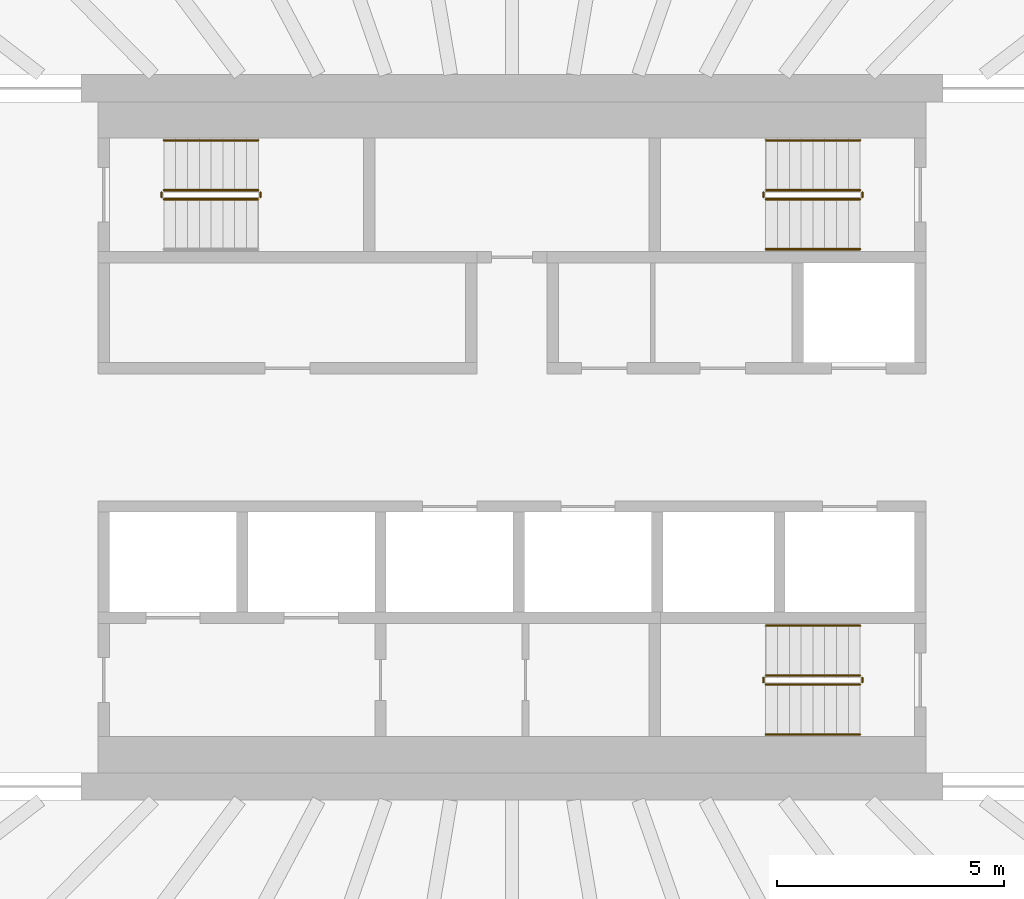
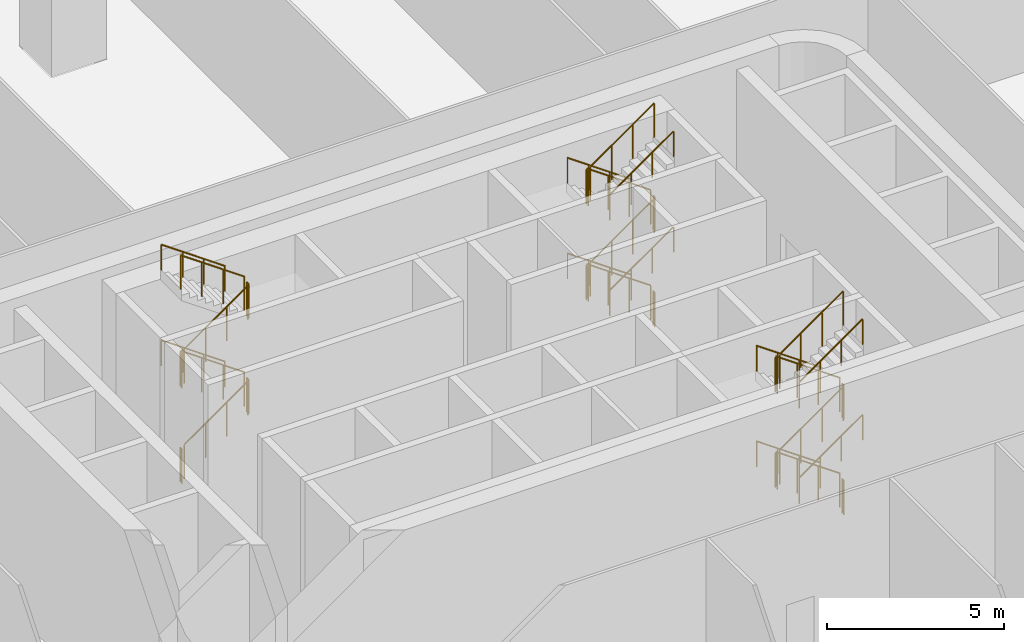
# One storey, part 32 of 33: 34 railings.
"""IFC4 building model written with IfcOpenShell, lengths in metres."""

import ifcopenshell
import ifcopenshell.guid

model = None  # the IFC model being written
_history = None  # IfcOwnerHistory: only IFC2X3 demands one
_inside = {}  # id of a spatial element -> (the spatial element, [elements in it])
_under = {}  # id of a project, library or spatial element -> (it, [spatial elements below it])
_declared = {}  # id of a project -> (the project, [libraries it declares])
_typed = {}  # id of a type object -> (the type object, [elements of that type])
_made_of = {}  # id of a material, layer set ... -> (it, [elements and type objects made of it])


def new_model(schema):
    """Start an empty IFC model of exactly this schema.

    Asked for "IFC4X3", IfcOpenShell would pick the latest addendum, in which some entities
    have other attributes; the version numbers below select the first issue.
    IFC2X3 requires an IfcOwnerHistory on every rooted entity: one is made here for all.
    """
    global model, _history
    if schema == "IFC4X3":
        model = ifcopenshell.file(schema_version=(4, 3, 0, 0))
    else:
        model = ifcopenshell.file(schema=schema)
    _inside.clear()
    _under.clear()
    _declared.clear()
    _typed.clear()
    _made_of.clear()
    _history = None
    if model.schema == "IFC2X3":
        org = make("IfcOrganization", Name="unknown")
        user = make(
            "IfcPersonAndOrganization",
            ThePerson=make("IfcPerson", FamilyName="unknown"),
            TheOrganization=org,
        )
        app = make(
            "IfcApplication",
            ApplicationDeveloper=org,
            Version="unknown",
            ApplicationFullName="unknown",
            ApplicationIdentifier="unknown",
        )
        _history = make(
            "IfcOwnerHistory",
            OwningUser=user,
            OwningApplication=app,
            ChangeAction="ADDED",
            CreationDate=0,
        )
    return model


def make(cls, **values):
    """One entity of the class cls with the attributes given. An attribute that is None is left unset."""
    return model.create_entity(
        cls, **{name: value for name, value in values.items() if value is not None}
    )


def rooted(cls, **values):
    """An entity with a GlobalId (a new one), such as an element, a storey or a relation."""
    return make(cls, GlobalId=ifcopenshell.guid.new(), OwnerHistory=_history, **values)


def si_unit(unit_type, name, prefix=None):
    """IfcSIUnit, for example si_unit("LENGTHUNIT", "METRE", prefix="MILLI")."""
    return make("IfcSIUnit", UnitType=unit_type, Prefix=prefix, Name=name)


def assignment(units):
    """IfcUnitAssignment: the units of a project."""
    return None if units is None else make("IfcUnitAssignment", Units=units)


def point(xyz):
    """IfcCartesianPoint."""
    return None if xyz is None else make("IfcCartesianPoint", Coordinates=xyz)


def direction(xyz):
    """IfcDirection."""
    return None if xyz is None else make("IfcDirection", DirectionRatios=xyz)


def frame(location, z_axis=None, x_axis=None):
    """IfcAxis2Placement3D, a coordinate frame: its origin and axes. An axis left out is left unset."""
    return make(
        "IfcAxis2Placement3D",
        Location=point(location),
        Axis=direction(z_axis),
        RefDirection=direction(x_axis),
    )


def frame_2d(location, x_axis=None):
    """IfcAxis2Placement2D, a coordinate frame in the plane: its origin and x axis."""
    return make(
        "IfcAxis2Placement2D", Location=point(location), RefDirection=direction(x_axis)
    )


def origin():
    """The frame at (0, 0, 0) with its axes left unset."""
    return frame((0.0, 0.0, 0.0))


def origin_2d():
    """The frame at (0, 0) in the plane with its x axis left unset."""
    return frame_2d((0.0, 0.0))


def place(relative_to, where):
    """IfcLocalPlacement: puts the frame where relative to a parent placement (None: the world)."""
    return make(
        "IfcLocalPlacement", PlacementRelTo=relative_to, RelativePlacement=where
    )


def context(
    kind, dimensions, precision=None, world=None, true_north=None, identifier=None
):
    """IfcGeometricRepresentationContext, for example the 3D "Model" context."""
    return make(
        "IfcGeometricRepresentationContext",
        ContextIdentifier=identifier,
        ContextType=kind,
        CoordinateSpaceDimension=dimensions,
        Precision=precision,
        WorldCoordinateSystem=world,
        TrueNorth=true_north,
    )


def subcontext(parent, identifier, kind, view, scale=None):
    """IfcGeometricRepresentationSubContext, for example "Body" below "Model"."""
    return make(
        "IfcGeometricRepresentationSubContext",
        ContextIdentifier=identifier,
        ContextType=kind,
        ParentContext=parent,
        TargetScale=scale,
        TargetView=view,
    )


def project(units=None, contexts=None):
    """IfcProject with its units and contexts."""
    return rooted(
        "IfcProject",
        Name="project",
        RepresentationContexts=contexts,
        UnitsInContext=assignment(units),
    )


def spatial(cls, under=None, at=None, **own):
    """A site, building, storey or space (cls), placed at a placement, below another one or the project."""
    s = rooted(cls, ObjectPlacement=at, **own)
    if under is not None:
        _under.setdefault(under.id(), (under, []))[1].append(s)
    return s


def profile(cls, at=None, kind="AREA", **sizes):
    """A parametric profile (cls). Its sizes go by their IFC names, for example OverallWidth=200.0."""
    return make(cls, ProfileType=kind, Position=at, **sizes)


def circle(**sizes):
    """IfcCircleProfileDef."""
    return profile("IfcCircleProfileDef", **sizes)


def extrude(swept, where, along, depth):
    """IfcExtrudedAreaSolid: the profile swept, set in the frame where, extruded along a direction by depth."""
    return make(
        "IfcExtrudedAreaSolid",
        SweptArea=swept,
        Position=where,
        ExtrudedDirection=direction(along),
        Depth=depth,
    )


def shape(context_of_items, identifier, shape_type, items):
    """IfcShapeRepresentation: the items that make up one representation, for example the "Body"."""
    return make(
        "IfcShapeRepresentation",
        ContextOfItems=context_of_items,
        RepresentationIdentifier=identifier,
        RepresentationType=shape_type,
        Items=items,
    )


def material(Name=None, Category=None):
    """IfcMaterial."""
    return make("IfcMaterial", Name=Name, Category=Category)


def made_of(thing, what):
    """Note that an element or type object is made of a material, layer set ...; save() writes the relation."""
    if what is not None:
        _made_of.setdefault(what.id(), (what, []))[1].append(thing)
    return thing


def type_object(cls, material=None, **own):
    """A type object (cls), such as IfcWallType, which elements share."""
    return made_of(rooted(cls, **own), material)


def element(
    cls,
    number,
    at=None,
    inside=None,
    cuts=None,
    type_object=None,
    material=None,
    context=None,
    identifier="Body",
    shape_type=None,
    held_by="IfcProductDefinitionShape",
    body=None,
    shapes=None,
    **own,
):
    """One element of the class cls, such as IfcWall. Its Tag is "e" and its number.

    at: its placement. inside: the storey or other place that contains it. cuts: it is an
    opening in that element (IfcRelVoidsElement). A single representation is given by context,
    identifier, shape_type and body (its items); several are given by shapes. held_by: the class
    of the entity that holds the representations. save() writes the other relations.
    """
    e = rooted(cls, Tag="e%d" % number, ObjectPlacement=at, **own)
    if body is not None:
        shapes = [shape(context, identifier, shape_type, body)]
    if shapes is not None:
        e.Representation = make(held_by, Representations=shapes)
    if inside is not None:
        _inside.setdefault(inside.id(), (inside, []))[1].append(e)
    if cuts is not None:
        rooted(
            "IfcRelVoidsElement", RelatingBuildingElement=cuts, RelatedOpeningElement=e
        )
    if type_object is not None:
        _typed.setdefault(type_object.id(), (type_object, []))[1].append(e)
    return made_of(e, material)


def aggregate(whole, parts):
    """IfcRelAggregates: a whole, such as a stair, and the parts it consists of."""
    return rooted("IfcRelAggregates", RelatingObject=whole, RelatedObjects=parts)


def save(model, path):
    """Write the relations noted so far, then the file.

    IfcRelAggregates (storeys below a building ...), IfcRelContainedInSpatialStructure (elements
    in a storey), IfcRelDefinesByType, IfcRelAssociatesMaterial and IfcRelDeclares: one each for
    every whole, place, type object, material and project.
    """
    for whole, parts in _under.values():
        aggregate(whole, parts)
    for where, things in _inside.values():
        rooted(
            "IfcRelContainedInSpatialStructure",
            RelatedElements=things,
            RelatingStructure=where,
        )
    for kind, things in _typed.values():
        rooted("IfcRelDefinesByType", RelatedObjects=things, RelatingType=kind)
    for what, things in _made_of.values():
        rooted("IfcRelAssociatesMaterial", RelatedObjects=things, RelatingMaterial=what)
    for by, libraries in _declared.values():
        rooted("IfcRelDeclares", RelatingContext=by, RelatedDefinitions=libraries)
    model.write(path)


model = new_model("IFC4")

# Units and contexts
model_context = context("Model", 3, precision=1e-05, world=origin(), true_north=direction((0.0, 1.0)))
body_context = subcontext(model_context, "Body", "Model", "MODEL_VIEW")
ifc_project = project(units=[si_unit("LENGTHUNIT", "METRE"), si_unit("AREAUNIT", "SQUARE_METRE"), si_unit("VOLUMEUNIT", "CUBIC_METRE"), si_unit("PLANEANGLEUNIT", "RADIAN"), si_unit("MASSUNIT", "GRAM", prefix="KILO")], contexts=[model_context])

# Site, building, storey
site_placement = place(None, origin())
site = spatial("IfcSite", under=ifc_project, at=site_placement, CompositionType="ELEMENT")
building_placement = place(site_placement, origin())
building = spatial("IfcBuilding", under=site, at=building_placement, Name="Sahrelin Media Tower", CompositionType="ELEMENT")
storey_placement = place(building_placement, frame((0.0, 0.0, 37.39990234375)))
storey = spatial("IfcBuildingStorey", under=building, at=storey_placement, Name="L05", CompositionType="ELEMENT", Elevation=37.39990234375)

# Railings
ifc_material = material(Name="Steel S355", Category="steel")
railing_type_1 = type_object("IfcRailingType", Name="Stair guard 1200", PredefinedType="GUARDRAIL", material=ifc_material)
railing_1_placement = place(storey_placement, frame((-7.675048828125, 5.25, 0.183349609375)))
element("IfcRailing", 1, at=railing_1_placement, inside=storey, type_object=railing_type_1, Name="L05 ST1 stair guard 1", PredefinedType="GUARDRAIL", context=body_context, shape_type="SweptSolid", body=[
    extrude(circle(Radius=0.02392578125, at=origin_2d()), frame((0.0, 0.0, 1.17578125), z_axis=(0.81724423362, 0.0, 0.576291473661), x_axis=(0.0, 1.0, 0.0)), (0.0, 0.0, 1.0), 2.545166015625),
    extrude(circle(Radius=0.02099609375, at=origin_2d()), origin(), (0.0, 0.0, 1.0), 1.15185546875),
    extrude(circle(Radius=0.02099609375, at=origin_2d()), frame((0.693359375, 0.0, 0.489013671875)), (0.0, 0.0, 1.0), 1.15185546875),
    extrude(circle(Radius=0.02099609375, at=origin_2d()), frame((1.38671875, 0.0, 0.977783203125)), (0.0, 0.0, 1.0), 1.15185546875),
    extrude(circle(Radius=0.02099609375, at=origin_2d()), frame((2.080078125, 0.0, 1.466796875)), (0.0, 0.0, 1.0), 1.15185546875),
])
railing_2_placement = place(storey_placement, frame((-5.544921875, 5.300048828125, 1.650146484375)))
element("IfcRailing", 2, at=railing_2_placement, inside=storey, type_object=railing_type_1, Name="L05 ST1 stair guard 2", PredefinedType="GUARDRAIL", context=body_context, shape_type="SweptSolid", body=[
    extrude(circle(Radius=0.02392578125, at=origin_2d()), frame((0.0, 0.0, 1.17578125), z_axis=(0.0, 1.0, 0.0), x_axis=(-1.0, 0.0, 0.0)), (0.0, 0.0, 1.0), 0.099853515625),
    extrude(circle(Radius=0.02099609375, at=origin_2d()), origin(), (0.0, 0.0, 1.0), 1.15185546875),
    extrude(circle(Radius=0.02099609375, at=origin_2d()), frame((0.0, 0.099853515625, 0.0)), (0.0, 0.0, 1.0), 1.15185546875),
])
railing_3_placement = place(storey_placement, frame((-5.594970703125, 5.449951171875, 1.83349609375)))
element("IfcRailing", 3, at=railing_3_placement, inside=storey, type_object=railing_type_1, Name="L05 ST1 stair guard 3", PredefinedType="GUARDRAIL", context=body_context, shape_type="SweptSolid", body=[
    extrude(circle(Radius=0.02392578125, at=origin_2d()), frame((0.0, 0.0, 1.17578125), z_axis=(-0.817289409456, 0.0, 0.576227404061), x_axis=(0.0, -1.0, 0.0)), (0.0, 0.0, 1.0), 2.545166015625),
    extrude(circle(Radius=0.02099609375, at=origin_2d()), origin(), (0.0, 0.0, 1.0), 1.15185546875),
    extrude(circle(Radius=0.02099609375, at=origin_2d()), frame((-0.693359375, 0.0, 0.48876953125)), (0.0, 0.0, 1.0), 1.15185546875),
    extrude(circle(Radius=0.02099609375, at=origin_2d()), frame((-1.38671875, 0.0, 0.977783203125)), (0.0, 0.0, 1.0), 1.15185546875),
    extrude(circle(Radius=0.02099609375, at=origin_2d()), frame((-2.080078125, 0.0, 1.466552734375)), (0.0, 0.0, 1.0), 1.15185546875),
])
railing_4_placement = place(storey_placement, frame((-7.72509765625, 5.300048828125, 3.300048828125)))
element("IfcRailing", 4, at=railing_4_placement, inside=storey, type_object=railing_type_1, Name="L05 ST1 stair guard 4", PredefinedType="GUARDRAIL", context=body_context, shape_type="SweptSolid", body=[
    extrude(circle(Radius=0.02392578125, at=origin_2d()), frame((0.0, 0.0, 1.17578125), z_axis=(0.0, 1.0, 0.0), x_axis=(-1.0, 0.0, 0.0)), (0.0, 0.0, 1.0), 0.099853515625),
    extrude(circle(Radius=0.02099609375, at=origin_2d()), origin(), (0.0, 0.0, 1.0), 1.15185546875),
    extrude(circle(Radius=0.02099609375, at=origin_2d()), frame((0.0, 0.099853515625, 0.0)), (0.0, 0.0, 1.0), 1.15185546875),
])
railing_5_placement = place(storey_placement, frame((-7.675048828125, 5.25, 3.4833984375)))
element("IfcRailing", 5, at=railing_5_placement, inside=storey, type_object=railing_type_1, Name="L05 ST1 stair guard 5", PredefinedType="GUARDRAIL", context=body_context, shape_type="SweptSolid", body=[
    extrude(circle(Radius=0.02392578125, at=origin_2d()), frame((0.0, 0.0, 1.17578125), z_axis=(0.81724423362, 0.0, 0.576291473661), x_axis=(0.0, 1.0, 0.0)), (0.0, 0.0, 1.0), 2.545166015625),
    extrude(circle(Radius=0.02099609375, at=origin_2d()), origin(), (0.0, 0.0, 1.0), 1.15185546875),
    extrude(circle(Radius=0.02099609375, at=origin_2d()), frame((0.693359375, 0.0, 0.489013671875)), (0.0, 0.0, 1.0), 1.15185546875),
    extrude(circle(Radius=0.02099609375, at=origin_2d()), frame((1.38671875, 0.0, 0.977783203125)), (0.0, 0.0, 1.0), 1.15185546875),
    extrude(circle(Radius=0.02099609375, at=origin_2d()), frame((2.080078125, 0.0, 1.466796875)), (0.0, 0.0, 1.0), 1.15185546875),
])
railing_6_placement = place(storey_placement, frame((-5.544921875, 5.300048828125, 4.9501953125)))
element("IfcRailing", 6, at=railing_6_placement, inside=storey, type_object=railing_type_1, Name="L05 ST1 stair guard 6", PredefinedType="GUARDRAIL", context=body_context, shape_type="SweptSolid", body=[
    extrude(circle(Radius=0.02392578125, at=origin_2d()), frame((0.0, 0.0, 1.17578125), z_axis=(0.0, 1.0, 0.0), x_axis=(-1.0, 0.0, 0.0)), (0.0, 0.0, 1.0), 0.099853515625),
    extrude(circle(Radius=0.02099609375, at=origin_2d()), origin(), (0.0, 0.0, 1.0), 1.15185546875),
    extrude(circle(Radius=0.02099609375, at=origin_2d()), frame((0.0, 0.099853515625, 0.0)), (0.0, 0.0, 1.0), 1.15185546875),
])
railing_7_placement = place(storey_placement, frame((-5.594970703125, 5.449951171875, 5.133544921875)))
element("IfcRailing", 7, at=railing_7_placement, inside=storey, type_object=railing_type_1, Name="L05 ST1 stair guard 7", PredefinedType="GUARDRAIL", context=body_context, shape_type="SweptSolid", body=[
    extrude(circle(Radius=0.02392578125, at=origin_2d()), frame((0.0, 0.0, 1.17578125), z_axis=(-0.817289409456, 0.0, 0.576227404061), x_axis=(0.0, -1.0, 0.0)), (0.0, 0.0, 1.0), 2.545166015625),
    extrude(circle(Radius=0.02099609375, at=origin_2d()), origin(), (0.0, 0.0, 1.0), 1.15185546875),
    extrude(circle(Radius=0.02099609375, at=origin_2d()), frame((-0.693359375, 0.0, 0.48876953125)), (0.0, 0.0, 1.0), 1.15185546875),
    extrude(circle(Radius=0.02099609375, at=origin_2d()), frame((-1.38671875, 0.0, 0.977783203125)), (0.0, 0.0, 1.0), 1.15185546875),
    extrude(circle(Radius=0.02099609375, at=origin_2d()), frame((-2.080078125, 0.0, 1.466552734375)), (0.0, 0.0, 1.0), 1.15185546875),
])
railing_8_placement = place(storey_placement, frame((-7.72509765625, 5.300048828125, 0.0)))
element("IfcRailing", 8, at=railing_8_placement, inside=storey, type_object=railing_type_1, Name="L05 ST1 stair guard 8", PredefinedType="GUARDRAIL", context=body_context, shape_type="SweptSolid", body=[
    extrude(circle(Radius=0.02392578125, at=origin_2d()), frame((0.0, 0.0, 1.17578125), z_axis=(0.0, 1.0, 0.0), x_axis=(-1.0, 0.0, 0.0)), (0.0, 0.0, 1.0), 0.099853515625),
    extrude(circle(Radius=0.02099609375, at=origin_2d()), origin(), (0.0, 0.0, 1.0), 1.15185546875),
    extrude(circle(Radius=0.02099609375, at=origin_2d()), frame((0.0, 0.099853515625, 0.0)), (0.0, 0.0, 1.0), 1.15185546875),
])
railing_9_placement = place(storey_placement, frame((7.675048828125, 5.449951171875, 0.183349609375)))
element("IfcRailing", 9, at=railing_9_placement, inside=storey, type_object=railing_type_1, Name="L05 ST3 stair guard 1", PredefinedType="GUARDRAIL", context=body_context, shape_type="SweptSolid", body=[
    extrude(circle(Radius=0.02392578125, at=origin_2d()), frame((0.0, 0.0, 1.17578125), z_axis=(-0.81724423362, 0.0, 0.576291473661), x_axis=(0.0, -1.0, 0.0)), (0.0, 0.0, 1.0), 2.545166015625),
    extrude(circle(Radius=0.02099609375, at=origin_2d()), origin(), (0.0, 0.0, 1.0), 1.15185546875),
    extrude(circle(Radius=0.02099609375, at=origin_2d()), frame((-0.693359375, 0.0, 0.489013671875)), (0.0, 0.0, 1.0), 1.15185546875),
    extrude(circle(Radius=0.02099609375, at=origin_2d()), frame((-1.38671875, 0.0, 0.977783203125)), (0.0, 0.0, 1.0), 1.15185546875),
    extrude(circle(Radius=0.02099609375, at=origin_2d()), frame((-2.080078125, 0.0, 1.466796875)), (0.0, 0.0, 1.0), 1.15185546875),
])
railing_10_placement = place(storey_placement, frame((5.544921875, 5.39990234375, 1.650146484375)))
element("IfcRailing", 10, at=railing_10_placement, inside=storey, type_object=railing_type_1, Name="L05 ST3 stair guard 2", PredefinedType="GUARDRAIL", context=body_context, shape_type="SweptSolid", body=[
    extrude(circle(Radius=0.02392578125, at=origin_2d()), frame((0.0, 0.0, 1.17578125), z_axis=(0.0, -1.0, 0.0), x_axis=(1.0, 0.0, 0.0)), (0.0, 0.0, 1.0), 0.099853515625),
    extrude(circle(Radius=0.02099609375, at=origin_2d()), origin(), (0.0, 0.0, 1.0), 1.15185546875),
    extrude(circle(Radius=0.02099609375, at=origin_2d()), frame((0.0, -0.099853515625, 0.0)), (0.0, 0.0, 1.0), 1.15185546875),
])
railing_11_placement = place(storey_placement, frame((5.594970703125, 5.25, 1.83349609375)))
element("IfcRailing", 11, at=railing_11_placement, inside=storey, type_object=railing_type_1, Name="L05 ST3 stair guard 3", PredefinedType="GUARDRAIL", context=body_context, shape_type="SweptSolid", body=[
    extrude(circle(Radius=0.02392578125, at=origin_2d()), frame((0.0, 0.0, 1.17578125), z_axis=(0.817289409456, 0.0, 0.576227404061), x_axis=(0.0, 1.0, 0.0)), (0.0, 0.0, 1.0), 2.545166015625),
    extrude(circle(Radius=0.02099609375, at=origin_2d()), origin(), (0.0, 0.0, 1.0), 1.15185546875),
    extrude(circle(Radius=0.02099609375, at=origin_2d()), frame((0.693359375, 0.0, 0.48876953125)), (0.0, 0.0, 1.0), 1.15185546875),
    extrude(circle(Radius=0.02099609375, at=origin_2d()), frame((1.38671875, 0.0, 0.977783203125)), (0.0, 0.0, 1.0), 1.15185546875),
    extrude(circle(Radius=0.02099609375, at=origin_2d()), frame((2.080078125, 0.0, 1.466552734375)), (0.0, 0.0, 1.0), 1.15185546875),
])
railing_12_placement = place(storey_placement, frame((7.72509765625, 5.39990234375, 3.300048828125)))
element("IfcRailing", 12, at=railing_12_placement, inside=storey, type_object=railing_type_1, Name="L05 ST3 stair guard 4", PredefinedType="GUARDRAIL", context=body_context, shape_type="SweptSolid", body=[
    extrude(circle(Radius=0.02392578125, at=origin_2d()), frame((0.0, 0.0, 1.17578125), z_axis=(0.0, -1.0, 0.0), x_axis=(1.0, 0.0, 0.0)), (0.0, 0.0, 1.0), 0.099853515625),
    extrude(circle(Radius=0.02099609375, at=origin_2d()), origin(), (0.0, 0.0, 1.0), 1.15185546875),
    extrude(circle(Radius=0.02099609375, at=origin_2d()), frame((0.0, -0.099853515625, 0.0)), (0.0, 0.0, 1.0), 1.15185546875),
])
railing_13_placement = place(storey_placement, frame((7.675048828125, 5.449951171875, 3.4833984375)))
element("IfcRailing", 13, at=railing_13_placement, inside=storey, type_object=railing_type_1, Name="L05 ST3 stair guard 5", PredefinedType="GUARDRAIL", context=body_context, shape_type="SweptSolid", body=[
    extrude(circle(Radius=0.02392578125, at=origin_2d()), frame((0.0, 0.0, 1.17578125), z_axis=(-0.81724423362, 0.0, 0.576291473661), x_axis=(0.0, -1.0, 0.0)), (0.0, 0.0, 1.0), 2.545166015625),
    extrude(circle(Radius=0.02099609375, at=origin_2d()), origin(), (0.0, 0.0, 1.0), 1.15185546875),
    extrude(circle(Radius=0.02099609375, at=origin_2d()), frame((-0.693359375, 0.0, 0.489013671875)), (0.0, 0.0, 1.0), 1.15185546875),
    extrude(circle(Radius=0.02099609375, at=origin_2d()), frame((-1.38671875, 0.0, 0.977783203125)), (0.0, 0.0, 1.0), 1.15185546875),
    extrude(circle(Radius=0.02099609375, at=origin_2d()), frame((-2.080078125, 0.0, 1.466796875)), (0.0, 0.0, 1.0), 1.15185546875),
])
railing_14_placement = place(storey_placement, frame((5.544921875, 5.39990234375, 4.9501953125)))
element("IfcRailing", 14, at=railing_14_placement, inside=storey, type_object=railing_type_1, Name="L05 ST3 stair guard 6", PredefinedType="GUARDRAIL", context=body_context, shape_type="SweptSolid", body=[
    extrude(circle(Radius=0.02392578125, at=origin_2d()), frame((0.0, 0.0, 1.17578125), z_axis=(0.0, -1.0, 0.0), x_axis=(1.0, 0.0, 0.0)), (0.0, 0.0, 1.0), 0.099853515625),
    extrude(circle(Radius=0.02099609375, at=origin_2d()), origin(), (0.0, 0.0, 1.0), 1.15185546875),
    extrude(circle(Radius=0.02099609375, at=origin_2d()), frame((0.0, -0.099853515625, 0.0)), (0.0, 0.0, 1.0), 1.15185546875),
])
railing_15_placement = place(storey_placement, frame((5.594970703125, 5.25, 5.133544921875)))
element("IfcRailing", 15, at=railing_15_placement, inside=storey, type_object=railing_type_1, Name="L05 ST3 stair guard 7", PredefinedType="GUARDRAIL", context=body_context, shape_type="SweptSolid", body=[
    extrude(circle(Radius=0.02392578125, at=origin_2d()), frame((0.0, 0.0, 1.17578125), z_axis=(0.817289409456, 0.0, 0.576227404061), x_axis=(0.0, 1.0, 0.0)), (0.0, 0.0, 1.0), 2.545166015625),
    extrude(circle(Radius=0.02099609375, at=origin_2d()), origin(), (0.0, 0.0, 1.0), 1.15185546875),
    extrude(circle(Radius=0.02099609375, at=origin_2d()), frame((0.693359375, 0.0, 0.48876953125)), (0.0, 0.0, 1.0), 1.15185546875),
    extrude(circle(Radius=0.02099609375, at=origin_2d()), frame((1.38671875, 0.0, 0.977783203125)), (0.0, 0.0, 1.0), 1.15185546875),
    extrude(circle(Radius=0.02099609375, at=origin_2d()), frame((2.080078125, 0.0, 1.466552734375)), (0.0, 0.0, 1.0), 1.15185546875),
])
railing_16_placement = place(storey_placement, frame((7.72509765625, 5.39990234375, 0.0)))
element("IfcRailing", 16, at=railing_16_placement, inside=storey, type_object=railing_type_1, Name="L05 ST3 stair guard 8", PredefinedType="GUARDRAIL", context=body_context, shape_type="SweptSolid", body=[
    extrude(circle(Radius=0.02392578125, at=origin_2d()), frame((0.0, 0.0, 1.17578125), z_axis=(0.0, -1.0, 0.0), x_axis=(1.0, 0.0, 0.0)), (0.0, 0.0, 1.0), 0.099853515625),
    extrude(circle(Radius=0.02099609375, at=origin_2d()), origin(), (0.0, 0.0, 1.0), 1.15185546875),
    extrude(circle(Radius=0.02099609375, at=origin_2d()), frame((0.0, -0.099853515625, 0.0)), (0.0, 0.0, 1.0), 1.15185546875),
])
railing_17_placement = place(storey_placement, frame((7.675048828125, -5.25, 0.183349609375)))
element("IfcRailing", 17, at=railing_17_placement, inside=storey, type_object=railing_type_1, Name="L05 ST2 stair guard 1", PredefinedType="GUARDRAIL", context=body_context, shape_type="SweptSolid", body=[
    extrude(circle(Radius=0.02392578125, at=origin_2d()), frame((0.0, 0.0, 1.17578125), z_axis=(-0.81724423362, 0.0, 0.576291473661), x_axis=(0.0, -1.0, 0.0)), (0.0, 0.0, 1.0), 2.545166015625),
    extrude(circle(Radius=0.02099609375, at=origin_2d()), origin(), (0.0, 0.0, 1.0), 1.15185546875),
    extrude(circle(Radius=0.02099609375, at=origin_2d()), frame((-0.693359375, 0.0, 0.489013671875)), (0.0, 0.0, 1.0), 1.15185546875),
    extrude(circle(Radius=0.02099609375, at=origin_2d()), frame((-1.38671875, 0.0, 0.977783203125)), (0.0, 0.0, 1.0), 1.15185546875),
    extrude(circle(Radius=0.02099609375, at=origin_2d()), frame((-2.080078125, 0.0, 1.466796875)), (0.0, 0.0, 1.0), 1.15185546875),
])
railing_18_placement = place(storey_placement, frame((5.544921875, -5.300048828125, 1.650146484375)))
element("IfcRailing", 18, at=railing_18_placement, inside=storey, type_object=railing_type_1, Name="L05 ST2 stair guard 2", PredefinedType="GUARDRAIL", context=body_context, shape_type="SweptSolid", body=[
    extrude(circle(Radius=0.02392578125, at=origin_2d()), frame((0.0, 0.0, 1.17578125), z_axis=(0.0, -1.0, 0.0), x_axis=(1.0, 0.0, 0.0)), (0.0, 0.0, 1.0), 0.099853515625),
    extrude(circle(Radius=0.02099609375, at=origin_2d()), origin(), (0.0, 0.0, 1.0), 1.15185546875),
    extrude(circle(Radius=0.02099609375, at=origin_2d()), frame((0.0, -0.099853515625, 0.0)), (0.0, 0.0, 1.0), 1.15185546875),
])
railing_19_placement = place(storey_placement, frame((5.594970703125, -5.449951171875, 1.83349609375)))
element("IfcRailing", 19, at=railing_19_placement, inside=storey, type_object=railing_type_1, Name="L05 ST2 stair guard 3", PredefinedType="GUARDRAIL", context=body_context, shape_type="SweptSolid", body=[
    extrude(circle(Radius=0.02392578125, at=origin_2d()), frame((0.0, 0.0, 1.17578125), z_axis=(0.817289409456, 0.0, 0.576227404061), x_axis=(0.0, 1.0, 0.0)), (0.0, 0.0, 1.0), 2.545166015625),
    extrude(circle(Radius=0.02099609375, at=origin_2d()), origin(), (0.0, 0.0, 1.0), 1.15185546875),
    extrude(circle(Radius=0.02099609375, at=origin_2d()), frame((0.693359375, 0.0, 0.48876953125)), (0.0, 0.0, 1.0), 1.15185546875),
    extrude(circle(Radius=0.02099609375, at=origin_2d()), frame((1.38671875, 0.0, 0.977783203125)), (0.0, 0.0, 1.0), 1.15185546875),
    extrude(circle(Radius=0.02099609375, at=origin_2d()), frame((2.080078125, 0.0, 1.466552734375)), (0.0, 0.0, 1.0), 1.15185546875),
])
railing_20_placement = place(storey_placement, frame((7.72509765625, -5.300048828125, 3.300048828125)))
element("IfcRailing", 20, at=railing_20_placement, inside=storey, type_object=railing_type_1, Name="L05 ST2 stair guard 4", PredefinedType="GUARDRAIL", context=body_context, shape_type="SweptSolid", body=[
    extrude(circle(Radius=0.02392578125, at=origin_2d()), frame((0.0, 0.0, 1.17578125), z_axis=(0.0, -1.0, 0.0), x_axis=(1.0, 0.0, 0.0)), (0.0, 0.0, 1.0), 0.099853515625),
    extrude(circle(Radius=0.02099609375, at=origin_2d()), origin(), (0.0, 0.0, 1.0), 1.15185546875),
    extrude(circle(Radius=0.02099609375, at=origin_2d()), frame((0.0, -0.099853515625, 0.0)), (0.0, 0.0, 1.0), 1.15185546875),
])
railing_21_placement = place(storey_placement, frame((7.675048828125, -5.25, 3.4833984375)))
element("IfcRailing", 21, at=railing_21_placement, inside=storey, type_object=railing_type_1, Name="L05 ST2 stair guard 5", PredefinedType="GUARDRAIL", context=body_context, shape_type="SweptSolid", body=[
    extrude(circle(Radius=0.02392578125, at=origin_2d()), frame((0.0, 0.0, 1.17578125), z_axis=(-0.81724423362, 0.0, 0.576291473661), x_axis=(0.0, -1.0, 0.0)), (0.0, 0.0, 1.0), 2.545166015625),
    extrude(circle(Radius=0.02099609375, at=origin_2d()), origin(), (0.0, 0.0, 1.0), 1.15185546875),
    extrude(circle(Radius=0.02099609375, at=origin_2d()), frame((-0.693359375, 0.0, 0.489013671875)), (0.0, 0.0, 1.0), 1.15185546875),
    extrude(circle(Radius=0.02099609375, at=origin_2d()), frame((-1.38671875, 0.0, 0.977783203125)), (0.0, 0.0, 1.0), 1.15185546875),
    extrude(circle(Radius=0.02099609375, at=origin_2d()), frame((-2.080078125, 0.0, 1.466796875)), (0.0, 0.0, 1.0), 1.15185546875),
])
railing_22_placement = place(storey_placement, frame((5.544921875, -5.300048828125, 4.9501953125)))
element("IfcRailing", 22, at=railing_22_placement, inside=storey, type_object=railing_type_1, Name="L05 ST2 stair guard 6", PredefinedType="GUARDRAIL", context=body_context, shape_type="SweptSolid", body=[
    extrude(circle(Radius=0.02392578125, at=origin_2d()), frame((0.0, 0.0, 1.17578125), z_axis=(0.0, -1.0, 0.0), x_axis=(1.0, 0.0, 0.0)), (0.0, 0.0, 1.0), 0.099853515625),
    extrude(circle(Radius=0.02099609375, at=origin_2d()), origin(), (0.0, 0.0, 1.0), 1.15185546875),
    extrude(circle(Radius=0.02099609375, at=origin_2d()), frame((0.0, -0.099853515625, 0.0)), (0.0, 0.0, 1.0), 1.15185546875),
])
railing_23_placement = place(storey_placement, frame((5.594970703125, -5.449951171875, 5.133544921875)))
element("IfcRailing", 23, at=railing_23_placement, inside=storey, type_object=railing_type_1, Name="L05 ST2 stair guard 7", PredefinedType="GUARDRAIL", context=body_context, shape_type="SweptSolid", body=[
    extrude(circle(Radius=0.02392578125, at=origin_2d()), frame((0.0, 0.0, 1.17578125), z_axis=(0.817289409456, 0.0, 0.576227404061), x_axis=(0.0, 1.0, 0.0)), (0.0, 0.0, 1.0), 2.545166015625),
    extrude(circle(Radius=0.02099609375, at=origin_2d()), origin(), (0.0, 0.0, 1.0), 1.15185546875),
    extrude(circle(Radius=0.02099609375, at=origin_2d()), frame((0.693359375, 0.0, 0.48876953125)), (0.0, 0.0, 1.0), 1.15185546875),
    extrude(circle(Radius=0.02099609375, at=origin_2d()), frame((1.38671875, 0.0, 0.977783203125)), (0.0, 0.0, 1.0), 1.15185546875),
    extrude(circle(Radius=0.02099609375, at=origin_2d()), frame((2.080078125, 0.0, 1.466552734375)), (0.0, 0.0, 1.0), 1.15185546875),
])
railing_24_placement = place(storey_placement, frame((7.72509765625, -5.300048828125, 0.0)))
element("IfcRailing", 24, at=railing_24_placement, inside=storey, type_object=railing_type_1, Name="L05 ST2 stair guard 8", PredefinedType="GUARDRAIL", context=body_context, shape_type="SweptSolid", body=[
    extrude(circle(Radius=0.02392578125, at=origin_2d()), frame((0.0, 0.0, 1.17578125), z_axis=(0.0, -1.0, 0.0), x_axis=(1.0, 0.0, 0.0)), (0.0, 0.0, 1.0), 0.099853515625),
    extrude(circle(Radius=0.02099609375, at=origin_2d()), origin(), (0.0, 0.0, 1.0), 1.15185546875),
    extrude(circle(Radius=0.02099609375, at=origin_2d()), frame((0.0, -0.099853515625, 0.0)), (0.0, 0.0, 1.0), 1.15185546875),
])
railing_type_2 = type_object("IfcRailingType", Name="Stair handrail 900", PredefinedType="HANDRAIL", material=ifc_material)
for number, where, name in (
    (25, (-5.594970703125, 6.550048828125, 1.83349609375), "L05 ST1 stair handrail 2"),
    (26, (-5.594970703125, 6.550048828125, 5.133544921875), "L05 ST1 stair handrail 4"),
):
    element("IfcRailing", number, at=place(storey_placement, frame(where)), inside=storey, type_object=railing_type_2, Name=name, PredefinedType="HANDRAIL", context=body_context, shape_type="SweptSolid", body=[
        extrude(circle(Radius=0.02392578125, at=origin_2d()), frame((0.0, 0.0, 0.8759765625), z_axis=(-0.817289409456, 0.0, 0.576227404061), x_axis=(0.0, -1.0, 0.0)), (0.0, 0.0, 1.0), 2.545166015625),
        extrude(circle(Radius=0.02099609375, at=origin_2d()), origin(), (0.0, 0.0, 1.0), 0.851806640625),
        extrude(circle(Radius=0.02099609375, at=origin_2d()), frame((-0.693359375, 0.0, 0.48876953125)), (0.0, 0.0, 1.0), 0.851806640625),
        extrude(circle(Radius=0.02099609375, at=origin_2d()), frame((-1.38671875, 0.0, 0.977783203125)), (0.0, 0.0, 1.0), 0.851806640625),
        extrude(circle(Radius=0.02099609375, at=origin_2d()), frame((-2.080078125, 0.0, 1.466552734375)), (0.0, 0.0, 1.0), 0.851806640625),
    ])
railing_25_placement = place(storey_placement, frame((7.675048828125, 6.550048828125, 0.183349609375)))
element("IfcRailing", 27, at=railing_25_placement, inside=storey, type_object=railing_type_2, Name="L05 ST3 stair handrail 1", PredefinedType="HANDRAIL", context=body_context, shape_type="SweptSolid", body=[
    extrude(circle(Radius=0.02392578125, at=origin_2d()), frame((0.0, 0.0, 0.8759765625), z_axis=(-0.81724423362, 0.0, 0.576291473661), x_axis=(0.0, -1.0, 0.0)), (0.0, 0.0, 1.0), 2.545166015625),
    extrude(circle(Radius=0.02099609375, at=origin_2d()), origin(), (0.0, 0.0, 1.0), 0.851806640625),
    extrude(circle(Radius=0.02099609375, at=origin_2d()), frame((-0.693359375, 0.0, 0.489013671875)), (0.0, 0.0, 1.0), 0.851806640625),
    extrude(circle(Radius=0.02099609375, at=origin_2d()), frame((-1.38671875, 0.0, 0.977783203125)), (0.0, 0.0, 1.0), 0.851806640625),
    extrude(circle(Radius=0.02099609375, at=origin_2d()), frame((-2.080078125, 0.0, 1.466796875)), (0.0, 0.0, 1.0), 0.851806640625),
])
railing_26_placement = place(storey_placement, frame((5.594970703125, 4.14990234375, 1.83349609375)))
element("IfcRailing", 28, at=railing_26_placement, inside=storey, type_object=railing_type_2, Name="L05 ST3 stair handrail 2", PredefinedType="HANDRAIL", context=body_context, shape_type="SweptSolid", body=[
    extrude(circle(Radius=0.02392578125, at=origin_2d()), frame((0.0, 0.0, 0.8759765625), z_axis=(0.817289409456, 0.0, 0.576227404061), x_axis=(0.0, 1.0, 0.0)), (0.0, 0.0, 1.0), 2.545166015625),
    extrude(circle(Radius=0.02099609375, at=origin_2d()), origin(), (0.0, 0.0, 1.0), 0.851806640625),
    extrude(circle(Radius=0.02099609375, at=origin_2d()), frame((0.693359375, 0.0, 0.48876953125)), (0.0, 0.0, 1.0), 0.851806640625),
    extrude(circle(Radius=0.02099609375, at=origin_2d()), frame((1.38671875, 0.0, 0.977783203125)), (0.0, 0.0, 1.0), 0.851806640625),
    extrude(circle(Radius=0.02099609375, at=origin_2d()), frame((2.080078125, 0.0, 1.466552734375)), (0.0, 0.0, 1.0), 0.851806640625),
])
railing_27_placement = place(storey_placement, frame((7.675048828125, 6.550048828125, 3.4833984375)))
element("IfcRailing", 29, at=railing_27_placement, inside=storey, type_object=railing_type_2, Name="L05 ST3 stair handrail 3", PredefinedType="HANDRAIL", context=body_context, shape_type="SweptSolid", body=[
    extrude(circle(Radius=0.02392578125, at=origin_2d()), frame((0.0, 0.0, 0.8759765625), z_axis=(-0.81724423362, 0.0, 0.576291473661), x_axis=(0.0, -1.0, 0.0)), (0.0, 0.0, 1.0), 2.545166015625),
    extrude(circle(Radius=0.02099609375, at=origin_2d()), origin(), (0.0, 0.0, 1.0), 0.851806640625),
    extrude(circle(Radius=0.02099609375, at=origin_2d()), frame((-0.693359375, 0.0, 0.489013671875)), (0.0, 0.0, 1.0), 0.851806640625),
    extrude(circle(Radius=0.02099609375, at=origin_2d()), frame((-1.38671875, 0.0, 0.977783203125)), (0.0, 0.0, 1.0), 0.851806640625),
    extrude(circle(Radius=0.02099609375, at=origin_2d()), frame((-2.080078125, 0.0, 1.466796875)), (0.0, 0.0, 1.0), 0.851806640625),
])
railing_28_placement = place(storey_placement, frame((5.594970703125, 4.14990234375, 5.133544921875)))
element("IfcRailing", 30, at=railing_28_placement, inside=storey, type_object=railing_type_2, Name="L05 ST3 stair handrail 4", PredefinedType="HANDRAIL", context=body_context, shape_type="SweptSolid", body=[
    extrude(circle(Radius=0.02392578125, at=origin_2d()), frame((0.0, 0.0, 0.8759765625), z_axis=(0.817289409456, 0.0, 0.576227404061), x_axis=(0.0, 1.0, 0.0)), (0.0, 0.0, 1.0), 2.545166015625),
    extrude(circle(Radius=0.02099609375, at=origin_2d()), origin(), (0.0, 0.0, 1.0), 0.851806640625),
    extrude(circle(Radius=0.02099609375, at=origin_2d()), frame((0.693359375, 0.0, 0.48876953125)), (0.0, 0.0, 1.0), 0.851806640625),
    extrude(circle(Radius=0.02099609375, at=origin_2d()), frame((1.38671875, 0.0, 0.977783203125)), (0.0, 0.0, 1.0), 0.851806640625),
    extrude(circle(Radius=0.02099609375, at=origin_2d()), frame((2.080078125, 0.0, 1.466552734375)), (0.0, 0.0, 1.0), 0.851806640625),
])
railing_29_placement = place(storey_placement, frame((7.675048828125, -4.14990234375, 0.183349609375)))
element("IfcRailing", 31, at=railing_29_placement, inside=storey, type_object=railing_type_2, Name="L05 ST2 stair handrail 1", PredefinedType="HANDRAIL", context=body_context, shape_type="SweptSolid", body=[
    extrude(circle(Radius=0.02392578125, at=origin_2d()), frame((0.0, 0.0, 0.8759765625), z_axis=(-0.81724423362, 0.0, 0.576291473661), x_axis=(0.0, -1.0, 0.0)), (0.0, 0.0, 1.0), 2.545166015625),
    extrude(circle(Radius=0.02099609375, at=origin_2d()), origin(), (0.0, 0.0, 1.0), 0.851806640625),
    extrude(circle(Radius=0.02099609375, at=origin_2d()), frame((-0.693359375, 0.0, 0.489013671875)), (0.0, 0.0, 1.0), 0.851806640625),
    extrude(circle(Radius=0.02099609375, at=origin_2d()), frame((-1.38671875, 0.0, 0.977783203125)), (0.0, 0.0, 1.0), 0.851806640625),
    extrude(circle(Radius=0.02099609375, at=origin_2d()), frame((-2.080078125, 0.0, 1.466796875)), (0.0, 0.0, 1.0), 0.851806640625),
])
railing_30_placement = place(storey_placement, frame((5.594970703125, -6.550048828125, 1.83349609375)))
element("IfcRailing", 32, at=railing_30_placement, inside=storey, type_object=railing_type_2, Name="L05 ST2 stair handrail 2", PredefinedType="HANDRAIL", context=body_context, shape_type="SweptSolid", body=[
    extrude(circle(Radius=0.02392578125, at=origin_2d()), frame((0.0, 0.0, 0.8759765625), z_axis=(0.817289409456, 0.0, 0.576227404061), x_axis=(0.0, 1.0, 0.0)), (0.0, 0.0, 1.0), 2.545166015625),
    extrude(circle(Radius=0.02099609375, at=origin_2d()), origin(), (0.0, 0.0, 1.0), 0.851806640625),
    extrude(circle(Radius=0.02099609375, at=origin_2d()), frame((0.693359375, 0.0, 0.48876953125)), (0.0, 0.0, 1.0), 0.851806640625),
    extrude(circle(Radius=0.02099609375, at=origin_2d()), frame((1.38671875, 0.0, 0.977783203125)), (0.0, 0.0, 1.0), 0.851806640625),
    extrude(circle(Radius=0.02099609375, at=origin_2d()), frame((2.080078125, 0.0, 1.466552734375)), (0.0, 0.0, 1.0), 0.851806640625),
])
railing_31_placement = place(storey_placement, frame((7.675048828125, -4.14990234375, 3.4833984375)))
element("IfcRailing", 33, at=railing_31_placement, inside=storey, type_object=railing_type_2, Name="L05 ST2 stair handrail 3", PredefinedType="HANDRAIL", context=body_context, shape_type="SweptSolid", body=[
    extrude(circle(Radius=0.02392578125, at=origin_2d()), frame((0.0, 0.0, 0.8759765625), z_axis=(-0.81724423362, 0.0, 0.576291473661), x_axis=(0.0, -1.0, 0.0)), (0.0, 0.0, 1.0), 2.545166015625),
    extrude(circle(Radius=0.02099609375, at=origin_2d()), origin(), (0.0, 0.0, 1.0), 0.851806640625),
    extrude(circle(Radius=0.02099609375, at=origin_2d()), frame((-0.693359375, 0.0, 0.489013671875)), (0.0, 0.0, 1.0), 0.851806640625),
    extrude(circle(Radius=0.02099609375, at=origin_2d()), frame((-1.38671875, 0.0, 0.977783203125)), (0.0, 0.0, 1.0), 0.851806640625),
    extrude(circle(Radius=0.02099609375, at=origin_2d()), frame((-2.080078125, 0.0, 1.466796875)), (0.0, 0.0, 1.0), 0.851806640625),
])
railing_32_placement = place(storey_placement, frame((5.594970703125, -6.550048828125, 5.133544921875)))
element("IfcRailing", 34, at=railing_32_placement, inside=storey, type_object=railing_type_2, Name="L05 ST2 stair handrail 4", PredefinedType="HANDRAIL", context=body_context, shape_type="SweptSolid", body=[
    extrude(circle(Radius=0.02392578125, at=origin_2d()), frame((0.0, 0.0, 0.8759765625), z_axis=(0.817289409456, 0.0, 0.576227404061), x_axis=(0.0, 1.0, 0.0)), (0.0, 0.0, 1.0), 2.545166015625),
    extrude(circle(Radius=0.02099609375, at=origin_2d()), origin(), (0.0, 0.0, 1.0), 0.851806640625),
    extrude(circle(Radius=0.02099609375, at=origin_2d()), frame((0.693359375, 0.0, 0.48876953125)), (0.0, 0.0, 1.0), 0.851806640625),
    extrude(circle(Radius=0.02099609375, at=origin_2d()), frame((1.38671875, 0.0, 0.977783203125)), (0.0, 0.0, 1.0), 0.851806640625),
    extrude(circle(Radius=0.02099609375, at=origin_2d()), frame((2.080078125, 0.0, 1.466552734375)), (0.0, 0.0, 1.0), 0.851806640625),
])

save(model, "model.ifc")
